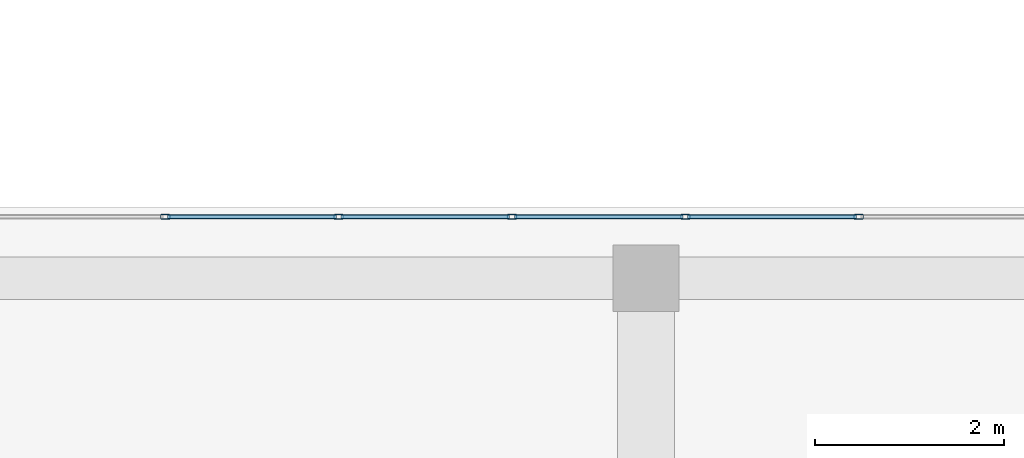
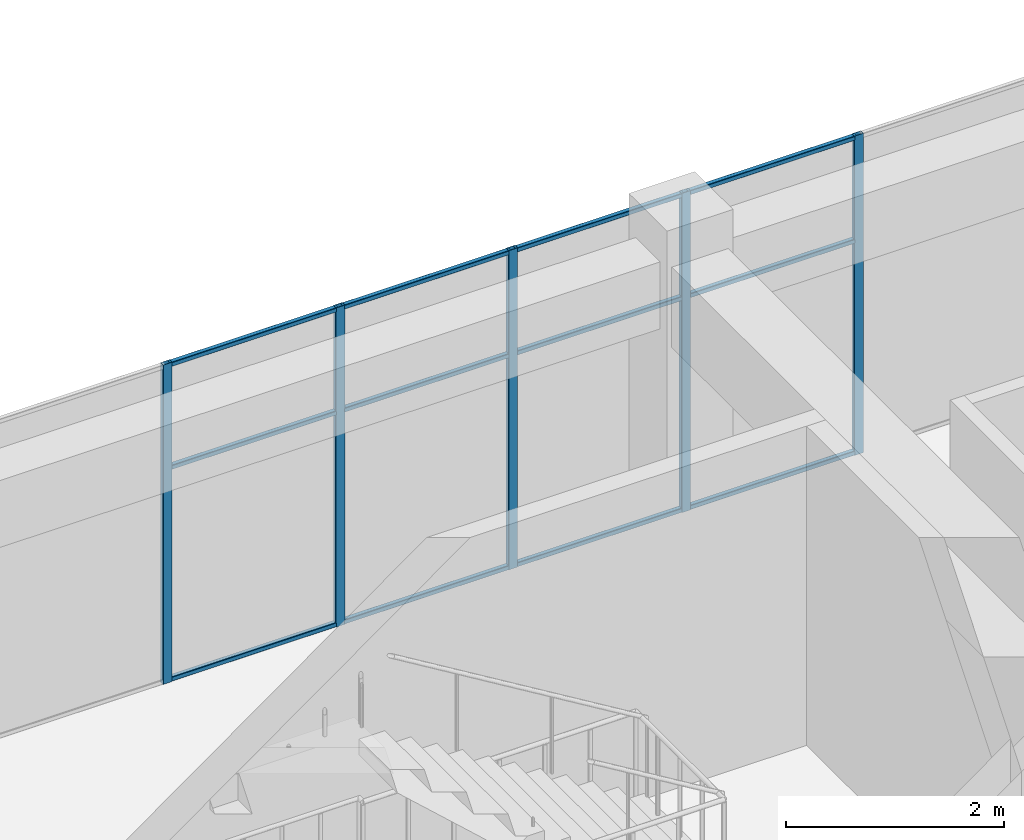
# One storey, part 21 of 32: 17 members, 1 element without a shape of its own.
"""IFC4 building model written with IfcOpenShell, lengths in metres."""

from ifc_helpers import new_model, si_unit, direction, frame, origin, origin_2d, place, context, subcontext, project, spatial, hollow_rectangle, extrude, material, layer, layer_set, material_profile, profile_set, type_object, element, aggregate, save


model = new_model("IFC4")

# Units and contexts
model_context = context("Model", 3, precision=1e-05, world=origin(), true_north=direction((0.0, 1.0)))
body_context = subcontext(model_context, "Body", "Model", "MODEL_VIEW")
ifc_project = project(units=[si_unit("LENGTHUNIT", "METRE"), si_unit("AREAUNIT", "SQUARE_METRE"), si_unit("VOLUMEUNIT", "CUBIC_METRE"), si_unit("PLANEANGLEUNIT", "RADIAN"), si_unit("MASSUNIT", "GRAM", prefix="KILO")], contexts=[model_context])

# Site, building, storey
site_placement = place(None, origin())
site = spatial("IfcSite", under=ifc_project, at=site_placement, CompositionType="ELEMENT")
building_placement = place(site_placement, origin())
building = spatial("IfcBuilding", under=site, at=building_placement, Name="Tuart Plaza Theatre", CompositionType="ELEMENT")
storey_placement = place(building_placement, frame((0.0, 0.0, 37.5)))
storey = spatial("IfcBuildingStorey", under=building, at=storey_placement, Name="L09", CompositionType="ELEMENT", Elevation=37.5)

# Curtain wall, members
ifc_material_1 = material(Name="Aluminium and glass", Category="aluminium")
ifc_layer = layer(ifc_material_1, 0.10009765625)
ifc_layer_set = layer_set([ifc_layer], Name="CURTAIN WALL 1800 module")
curtain_wall_type = type_object("IfcCurtainWallType", Name="CURTAIN WALL 1800 module", PredefinedType="NOTDEFINED", material=ifc_layer_set)
curtain_wall_placement = place(storey_placement, origin())
curtain_wall = element("IfcCurtainWall", 1, at=curtain_wall_placement, inside=storey, type_object=curtain_wall_type, Name="CW95", PredefinedType="NOTDEFINED")
ifc_material_2 = material(Name="Aluminium 6063-T5", Category="aluminium")
ifc_material_profile_1 = material_profile(ifc_material_2, hollow_rectangle(XDim=0.050048828125, YDim=0.10009765625, WallThickness=0.00390625, InnerFilletRadius=0.00390625, OuterFilletRadius=0.008056640625, at=origin_2d()), Name="RHS 100x50x4")
ifc_profile_set_1 = profile_set([ifc_material_profile_1], Name="Aluminium 6063-T5")
member_type_1 = type_object("IfcMemberType", Name="MULLION RHS 100x50x4", PredefinedType="MULLION", material=ifc_profile_set_1)
member_1_placement = place(storey_placement, frame((125.25, 92.64990234375, 0.0), z_axis=(0.0, 0.0, 1.0), x_axis=(0.0, -1.0, 0.0)))
member_1 = element("IfcMember", 2, at=member_1_placement, type_object=member_type_1, Name="CW95 mullion 10", PredefinedType="MULLION", context=body_context, shape_type="SweptSolid", body=[
    extrude(hollow_rectangle(XDim=0.050048828125, YDim=0.10009765625, WallThickness=0.00390625, InnerFilletRadius=0.00390625, OuterFilletRadius=0.008056640625, at=origin_2d()), origin(), (0.0, 0.0, 1.0), 3.580078125),
])
member_2_placement = place(storey_placement, frame((123.416748046875, 92.64990234375, 0.0), z_axis=(0.0, 0.0, 1.0), x_axis=(0.0, -1.0, 0.0)))
member_2 = element("IfcMember", 3, at=member_2_placement, type_object=member_type_1, Name="CW95 mullion 11", PredefinedType="MULLION", context=body_context, shape_type="SweptSolid", body=[
    extrude(hollow_rectangle(XDim=0.050048828125, YDim=0.10009765625, WallThickness=0.00390625, InnerFilletRadius=0.00390625, OuterFilletRadius=0.008056640625, at=origin_2d()), origin(), (0.0, 0.0, 1.0), 3.580078125),
])
member_3_placement = place(storey_placement, frame((121.583251953125, 92.64990234375, 0.0), z_axis=(0.0, 0.0, 1.0), x_axis=(0.0, -1.0, 0.0)))
member_3 = element("IfcMember", 4, at=member_3_placement, type_object=member_type_1, Name="CW95 mullion 12", PredefinedType="MULLION", context=body_context, shape_type="SweptSolid", body=[
    extrude(hollow_rectangle(XDim=0.050048828125, YDim=0.10009765625, WallThickness=0.00390625, InnerFilletRadius=0.00390625, OuterFilletRadius=0.008056640625, at=origin_2d()), origin(), (0.0, 0.0, 1.0), 3.580078125),
])
member_4_placement = place(storey_placement, frame((119.75, 92.64990234375, 0.0), z_axis=(0.0, 0.0, 1.0), x_axis=(0.0, -1.0, 0.0)))
member_4 = element("IfcMember", 5, at=member_4_placement, type_object=member_type_1, Name="CW95 mullion 13", PredefinedType="MULLION", context=body_context, shape_type="SweptSolid", body=[
    extrude(hollow_rectangle(XDim=0.050048828125, YDim=0.10009765625, WallThickness=0.00390625, InnerFilletRadius=0.00390625, OuterFilletRadius=0.008056640625, at=origin_2d()), origin(), (0.0, 0.0, 1.0), 3.580078125),
])
member_5_placement = place(storey_placement, frame((117.916748046875, 92.64990234375, 0.0), z_axis=(0.0, 0.0, 1.0), x_axis=(0.0, -1.0, 0.0)))
member_5 = element("IfcMember", 6, at=member_5_placement, type_object=member_type_1, Name="CW95 mullion 14", PredefinedType="MULLION", context=body_context, shape_type="SweptSolid", body=[
    extrude(hollow_rectangle(XDim=0.050048828125, YDim=0.10009765625, WallThickness=0.00390625, InnerFilletRadius=0.00390625, OuterFilletRadius=0.008056640625, at=origin_2d()), origin(), (0.0, 0.0, 1.0), 3.580078125),
])
ifc_material_3 = material(Name="Aluminium 6063-T5", Category="aluminium")
ifc_material_profile_2 = material_profile(ifc_material_3, hollow_rectangle(XDim=0.050048828125, YDim=0.050048828125, WallThickness=0.00390625, InnerFilletRadius=0.00390625, OuterFilletRadius=0.008056640625, at=origin_2d()), Name="RHS 50x50x4")
ifc_profile_set_2 = profile_set([ifc_material_profile_2], Name="Aluminium 6063-T5")
member_type_2 = type_object("IfcMemberType", Name="TRANSOM RHS 50x50x4", PredefinedType="USERDEFINED", material=ifc_profile_set_2)
member_6_placement = place(storey_placement, frame((125.22509765625, 92.64990234375, 0.02490234375), z_axis=(-1.0, 0.0, 0.0), x_axis=(0.0, -1.0, 0.0)))
member_6 = element("IfcMember", 7, at=member_6_placement, type_object=member_type_2, Name="CW95 transom 10.1", ObjectType="TRANSOM", PredefinedType="USERDEFINED", context=body_context, shape_type="SweptSolid", body=[
    extrude(hollow_rectangle(XDim=0.050048828125, YDim=0.050048828125, WallThickness=0.00390625, InnerFilletRadius=0.00390625, OuterFilletRadius=0.008056640625, at=origin_2d()), origin(), (0.0, 0.0, 1.0), 1.783447265625),
])
member_7_placement = place(storey_placement, frame((125.22509765625, 92.64990234375, 2.39990234375), z_axis=(-1.0, 0.0, 0.0), x_axis=(0.0, -1.0, 0.0)))
member_7 = element("IfcMember", 8, at=member_7_placement, type_object=member_type_2, Name="CW95 transom 10.2", ObjectType="TRANSOM", PredefinedType="USERDEFINED", context=body_context, shape_type="SweptSolid", body=[
    extrude(hollow_rectangle(XDim=0.050048828125, YDim=0.050048828125, WallThickness=0.00390625, InnerFilletRadius=0.00390625, OuterFilletRadius=0.008056640625, at=origin_2d()), origin(), (0.0, 0.0, 1.0), 1.783447265625),
])
member_8_placement = place(storey_placement, frame((125.22509765625, 92.64990234375, 3.554931640625), z_axis=(-1.0, 0.0, 0.0), x_axis=(0.0, -1.0, 0.0)))
member_8 = element("IfcMember", 9, at=member_8_placement, type_object=member_type_2, Name="CW95 transom 10.3", ObjectType="TRANSOM", PredefinedType="USERDEFINED", context=body_context, shape_type="SweptSolid", body=[
    extrude(hollow_rectangle(XDim=0.050048828125, YDim=0.050048828125, WallThickness=0.00390625, InnerFilletRadius=0.00390625, OuterFilletRadius=0.008056640625, at=origin_2d()), origin(), (0.0, 0.0, 1.0), 1.783447265625),
])
member_9_placement = place(storey_placement, frame((123.3916015625, 92.64990234375, 0.02490234375), z_axis=(-1.0, 0.0, 0.0), x_axis=(0.0, -1.0, 0.0)))
member_9 = element("IfcMember", 10, at=member_9_placement, type_object=member_type_2, Name="CW95 transom 11.1", ObjectType="TRANSOM", PredefinedType="USERDEFINED", context=body_context, shape_type="SweptSolid", body=[
    extrude(hollow_rectangle(XDim=0.050048828125, YDim=0.050048828125, WallThickness=0.00390625, InnerFilletRadius=0.00390625, OuterFilletRadius=0.008056640625, at=origin_2d()), origin(), (0.0, 0.0, 1.0), 1.783203125),
])
member_10_placement = place(storey_placement, frame((123.3916015625, 92.64990234375, 2.39990234375), z_axis=(-1.0, 0.0, 0.0), x_axis=(0.0, -1.0, 0.0)))
member_10 = element("IfcMember", 11, at=member_10_placement, type_object=member_type_2, Name="CW95 transom 11.2", ObjectType="TRANSOM", PredefinedType="USERDEFINED", context=body_context, shape_type="SweptSolid", body=[
    extrude(hollow_rectangle(XDim=0.050048828125, YDim=0.050048828125, WallThickness=0.00390625, InnerFilletRadius=0.00390625, OuterFilletRadius=0.008056640625, at=origin_2d()), origin(), (0.0, 0.0, 1.0), 1.783203125),
])
member_11_placement = place(storey_placement, frame((123.3916015625, 92.64990234375, 3.554931640625), z_axis=(-1.0, 0.0, 0.0), x_axis=(0.0, -1.0, 0.0)))
member_11 = element("IfcMember", 12, at=member_11_placement, type_object=member_type_2, Name="CW95 transom 11.3", ObjectType="TRANSOM", PredefinedType="USERDEFINED", context=body_context, shape_type="SweptSolid", body=[
    extrude(hollow_rectangle(XDim=0.050048828125, YDim=0.050048828125, WallThickness=0.00390625, InnerFilletRadius=0.00390625, OuterFilletRadius=0.008056640625, at=origin_2d()), origin(), (0.0, 0.0, 1.0), 1.783203125),
])
member_12_placement = place(storey_placement, frame((121.558349609375, 92.64990234375, 0.02490234375), z_axis=(-1.0, 0.0, 0.0), x_axis=(0.0, -1.0, 0.0)))
member_12 = element("IfcMember", 13, at=member_12_placement, type_object=member_type_2, Name="CW95 transom 12.1", ObjectType="TRANSOM", PredefinedType="USERDEFINED", context=body_context, shape_type="SweptSolid", body=[
    extrude(hollow_rectangle(XDim=0.050048828125, YDim=0.050048828125, WallThickness=0.00390625, InnerFilletRadius=0.00390625, OuterFilletRadius=0.008056640625, at=origin_2d()), origin(), (0.0, 0.0, 1.0), 1.783447265625),
])
member_13_placement = place(storey_placement, frame((121.558349609375, 92.64990234375, 2.39990234375), z_axis=(-1.0, 0.0, 0.0), x_axis=(0.0, -1.0, 0.0)))
member_13 = element("IfcMember", 14, at=member_13_placement, type_object=member_type_2, Name="CW95 transom 12.2", ObjectType="TRANSOM", PredefinedType="USERDEFINED", context=body_context, shape_type="SweptSolid", body=[
    extrude(hollow_rectangle(XDim=0.050048828125, YDim=0.050048828125, WallThickness=0.00390625, InnerFilletRadius=0.00390625, OuterFilletRadius=0.008056640625, at=origin_2d()), origin(), (0.0, 0.0, 1.0), 1.783447265625),
])
member_14_placement = place(storey_placement, frame((121.558349609375, 92.64990234375, 3.554931640625), z_axis=(-1.0, 0.0, 0.0), x_axis=(0.0, -1.0, 0.0)))
member_14 = element("IfcMember", 15, at=member_14_placement, type_object=member_type_2, Name="CW95 transom 12.3", ObjectType="TRANSOM", PredefinedType="USERDEFINED", context=body_context, shape_type="SweptSolid", body=[
    extrude(hollow_rectangle(XDim=0.050048828125, YDim=0.050048828125, WallThickness=0.00390625, InnerFilletRadius=0.00390625, OuterFilletRadius=0.008056640625, at=origin_2d()), origin(), (0.0, 0.0, 1.0), 1.783447265625),
])
member_15_placement = place(storey_placement, frame((119.72509765625, 92.64990234375, 0.02490234375), z_axis=(-1.0, 0.0, 0.0), x_axis=(0.0, -1.0, 0.0)))
member_15 = element("IfcMember", 16, at=member_15_placement, type_object=member_type_2, Name="CW95 transom 13.1", ObjectType="TRANSOM", PredefinedType="USERDEFINED", context=body_context, shape_type="SweptSolid", body=[
    extrude(hollow_rectangle(XDim=0.050048828125, YDim=0.050048828125, WallThickness=0.00390625, InnerFilletRadius=0.00390625, OuterFilletRadius=0.008056640625, at=origin_2d()), origin(), (0.0, 0.0, 1.0), 1.783447265625),
])
member_16_placement = place(storey_placement, frame((119.72509765625, 92.64990234375, 2.39990234375), z_axis=(-1.0, 0.0, 0.0), x_axis=(0.0, -1.0, 0.0)))
member_16 = element("IfcMember", 17, at=member_16_placement, type_object=member_type_2, Name="CW95 transom 13.2", ObjectType="TRANSOM", PredefinedType="USERDEFINED", context=body_context, shape_type="SweptSolid", body=[
    extrude(hollow_rectangle(XDim=0.050048828125, YDim=0.050048828125, WallThickness=0.00390625, InnerFilletRadius=0.00390625, OuterFilletRadius=0.008056640625, at=origin_2d()), origin(), (0.0, 0.0, 1.0), 1.783447265625),
])
member_17_placement = place(storey_placement, frame((119.72509765625, 92.64990234375, 3.554931640625), z_axis=(-1.0, 0.0, 0.0), x_axis=(0.0, -1.0, 0.0)))
member_17 = element("IfcMember", 18, at=member_17_placement, type_object=member_type_2, Name="CW95 transom 13.3", ObjectType="TRANSOM", PredefinedType="USERDEFINED", context=body_context, shape_type="SweptSolid", body=[
    extrude(hollow_rectangle(XDim=0.050048828125, YDim=0.050048828125, WallThickness=0.00390625, InnerFilletRadius=0.00390625, OuterFilletRadius=0.008056640625, at=origin_2d()), origin(), (0.0, 0.0, 1.0), 1.783447265625),
])
aggregate(curtain_wall, [member_1, member_2, member_3, member_4, member_5, member_6, member_7, member_8, member_9, member_10, member_11, member_12, member_13, member_14, member_15, member_16, member_17])

save(model, "model.ifc")
